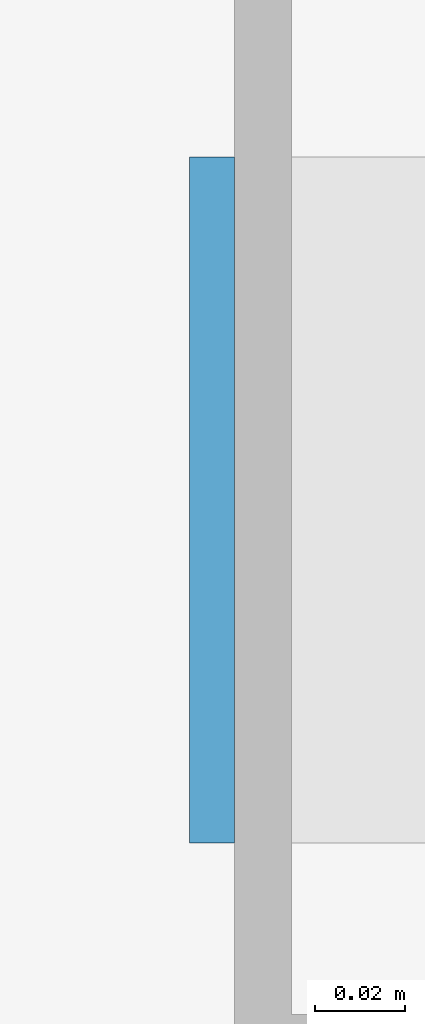
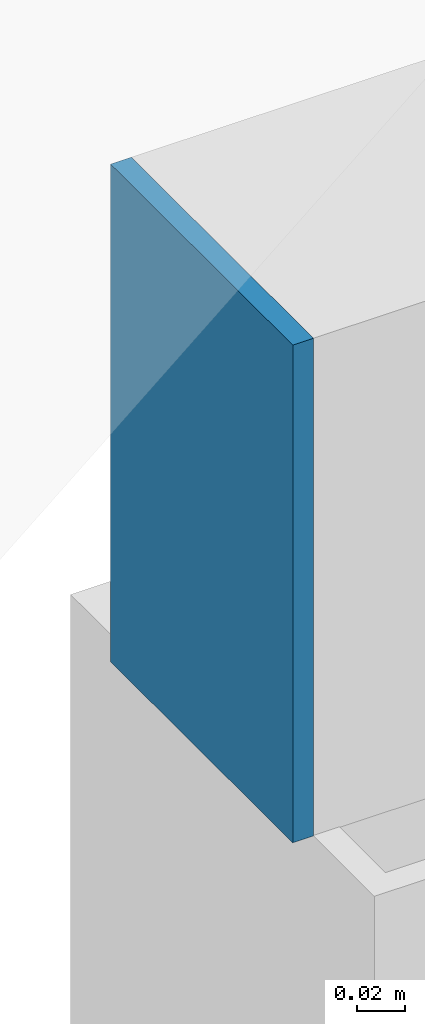
# One storey, part 94 of 127: 1 discrete accessory.
"""IFC4 building model written with IfcOpenShell, lengths in metres."""

from ifc_helpers import new_model, si_unit, direction, frame, origin, origin_2d, place, context, subcontext, project, spatial, rectangle, extrude, material, material_profile, profile_set, type_object, element, save


model = new_model("IFC4")

# Units and contexts
model_context = context("Model", 3, precision=1e-05, world=origin(), true_north=direction((0.0, 1.0)))
body_context = subcontext(model_context, "Body", "Model", "MODEL_VIEW")
ifc_project = project(units=[si_unit("LENGTHUNIT", "METRE"), si_unit("AREAUNIT", "SQUARE_METRE"), si_unit("VOLUMEUNIT", "CUBIC_METRE"), si_unit("PLANEANGLEUNIT", "RADIAN"), si_unit("MASSUNIT", "GRAM", prefix="KILO")], contexts=[model_context])

# Site, building, storey
site_placement = place(None, origin())
site = spatial("IfcSite", under=ifc_project, at=site_placement, CompositionType="ELEMENT")
building_placement = place(site_placement, origin())
building = spatial("IfcBuilding", under=site, at=building_placement, Name="Verrick Yard Athletic Hall", CompositionType="ELEMENT")
storey_placement = place(building_placement, frame((0.0, 0.0, 14.0)))
storey = spatial("IfcBuildingStorey", under=building, at=storey_placement, Name="L03", CompositionType="ELEMENT", Elevation=14.0)

# Discrete accessory
ifc_material = material(Name="Structural steel 350W (CSA G40.21)", Category="steel")
ifc_material_profile = material_profile(ifc_material, rectangle(XDim=0.15234375, YDim=0.25390625, at=origin_2d()), Name="STR End cap plate 254x152x9.5")
ifc_profile_set = profile_set([ifc_material_profile], Name="Structural steel 350W (CSA G40.21)")
discrete_accessory_type = type_object("IfcDiscreteAccessoryType", Name="STR End cap plate 254x152x9.5", PredefinedType="BRACKET", material=ifc_profile_set)
discrete_accessory_placement = place(storey_placement, frame((89.06298828125, 73.199951171875, 3.9892578125), z_axis=(1.0, 0.0, 0.0), x_axis=(0.0, 1.0, 0.0)))
element("IfcDiscreteAccessory", 1, at=discrete_accessory_placement, inside=storey, type_object=discrete_accessory_type, Name="End cap HB-RT-1W A", PredefinedType="BRACKET", context=body_context, shape_type="SweptSolid", body=[
    extrude(rectangle(XDim=0.15234375, YDim=0.25390625, at=origin_2d()), origin(), (0.0, 0.0, 1.0), 0.010009765625),
])

save(model, "model.ifc")
